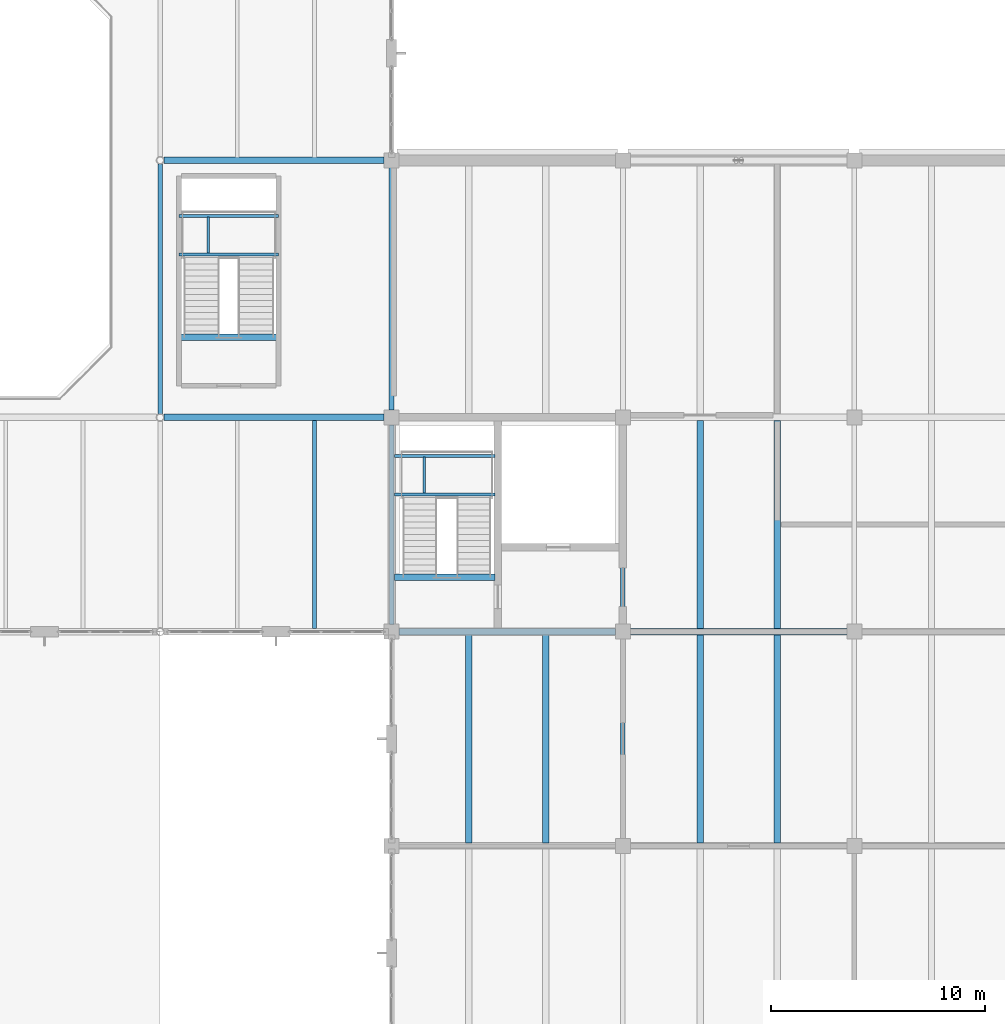
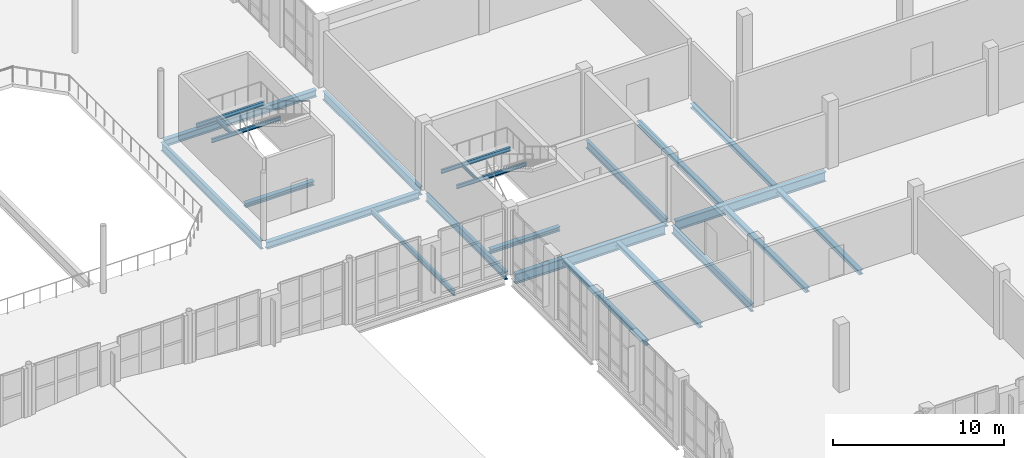
# One storey, part 38 of 92: 24 beams.
"""IFC4 building model written with IfcOpenShell, lengths in metres."""

from ifc_helpers import new_model, si_unit, direction, frame, origin, origin_2d, place, context, subcontext, project, spatial, i_section, extrude, material, material_profile, profile_set, type_object, element, save


model = new_model("IFC4")

# Units and contexts
model_context = context("Model", 3, precision=1e-05, world=origin(), true_north=direction((0.0, 1.0)))
body_context = subcontext(model_context, "Body", "Model", "MODEL_VIEW")
ifc_project = project(units=[si_unit("LENGTHUNIT", "METRE"), si_unit("AREAUNIT", "SQUARE_METRE"), si_unit("VOLUMEUNIT", "CUBIC_METRE"), si_unit("PLANEANGLEUNIT", "RADIAN"), si_unit("MASSUNIT", "GRAM", prefix="KILO")], contexts=[model_context])

# Site, building, storey
site_placement = place(None, origin())
site = spatial("IfcSite", under=ifc_project, at=site_placement, CompositionType="ELEMENT")
building_placement = place(site_placement, origin())
building = spatial("IfcBuilding", under=site, at=building_placement, Name="Tasgan Crest Museum", CompositionType="ELEMENT")
storey_placement = place(building_placement, frame((0.0, 0.0, 4.800048828125)))
storey = spatial("IfcBuildingStorey", under=building, at=storey_placement, Name="L01", CompositionType="ELEMENT", Elevation=4.800048828125)

# Beams
ifc_material_1 = material(Name="Steel S355J2", Category="steel")
ifc_material_profile_1 = material_profile(ifc_material_1, i_section(OverallWidth=0.300048828125, OverallDepth=0.489990234375, WebThickness=0.011962890625, FlangeThickness=0.02294921875, FilletRadius=0.027099609375, at=origin_2d()), Name="HEA 500")
ifc_profile_set_1 = profile_set([ifc_material_profile_1], Name="Steel S355J2")
beam_type_1 = type_object("IfcBeamType", Name="BM-G-HEA500", PredefinedType="BEAM", material=ifc_profile_set_1)
for number, where, z_axis, x_axis, name in (
    (1, (97.373779296875, 50.0, -0.485107421875), (1.0, 0.0, 0.0), (0.0, 1.0, 0.0), "Girder L01 F 97.2-108.0"),
    (2, (97.373779296875, 62.0, -0.485107421875), (1.0, 0.0, 0.0), (0.0, 1.0, 0.0), "Girder L01 G 97.2-108.0"),
):
    element("IfcBeam", number, at=place(storey_placement, frame(where, z_axis=z_axis, x_axis=x_axis)), inside=storey, type_object=beam_type_1, Name=name, PredefinedType="BEAM", context=body_context, shape_type="SweptSolid", body=[
        extrude(i_section(OverallWidth=0.300048828125, OverallDepth=0.489990234375, WebThickness=0.011962890625, FlangeThickness=0.02294921875, FilletRadius=0.027099609375, at=origin_2d()), origin(), (0.0, 0.0, 1.0), 10.2802734375),
    ])
ifc_material_2 = material(Name="Steel S355J2", Category="steel")
ifc_material_profile_2 = material_profile(ifc_material_2, i_section(OverallWidth=0.300048828125, OverallDepth=0.300048828125, WebThickness=0.010986328125, FlangeThickness=0.01904296875, FilletRadius=0.027099609375, at=origin_2d()), Name="HEB 300")
ifc_profile_set_2 = profile_set([ifc_material_profile_2], Name="Steel S355J2")
beam_type_2 = type_object("IfcBeamType", Name="BM-G-HEB300", PredefinedType="BEAM", material=ifc_profile_set_2)
beam_1_placement = place(storey_placement, frame((108.1298828125, 42.550048828125, -0.150146484375), z_axis=(1.0, 0.0, 0.0), x_axis=(0.0, 1.0, 0.0)))
element("IfcBeam", 3, at=beam_1_placement, inside=storey, type_object=beam_type_2, Name="Stair threshold trimmer beam ST-SE-L01", PredefinedType="BEAM", context=body_context, shape_type="SweptSolid", body=[
    extrude(i_section(OverallWidth=0.300048828125, OverallDepth=0.300048828125, WebThickness=0.010986328125, FlangeThickness=0.01904296875, FilletRadius=0.027099609375, at=origin_2d()), origin(), (0.0, 0.0, 1.0), 4.690185546875),
])
beam_2_placement = place(storey_placement, frame((98.080078125, 53.75, -0.150146484375), z_axis=(1.0, 0.0, 0.0), x_axis=(0.0, 1.0, 0.0)))
element("IfcBeam", 4, at=beam_2_placement, inside=storey, type_object=beam_type_2, Name="Stair threshold trimmer beam ST-AT-L01", PredefinedType="BEAM", context=body_context, shape_type="SweptSolid", body=[
    extrude(i_section(OverallWidth=0.300048828125, OverallDepth=0.300048828125, WebThickness=0.010986328125, FlangeThickness=0.01904296875, FilletRadius=0.027099609375, at=origin_2d()), origin(), (0.0, 0.0, 1.0), 4.639892578125),
])
ifc_material_3 = material(Name="Steel S355K2", Category="steel")
ifc_material_profile_3 = material_profile(ifc_material_3, i_section(OverallWidth=0.300048828125, OverallDepth=0.699951171875, WebThickness=0.01708984375, FlangeThickness=0.031982421875, FilletRadius=0.027099609375, at=origin_2d()), Name="HEB 700")
ifc_profile_set_3 = profile_set([ifc_material_profile_3], Name="Steel S355K2")
beam_type_3 = type_object("IfcBeamType", Name="BM-G-HEB700", PredefinedType="BEAM", material=ifc_profile_set_3)
beam_3_placement = place(storey_placement, frame((108.345947265625, 40.0, -0.630126953125), z_axis=(1.0, 0.0, 0.0), x_axis=(0.0, 1.0, 0.0)))
element("IfcBeam", 5, at=beam_3_placement, inside=storey, type_object=beam_type_3, Name="Girder L01 E 108.0-118.8", PredefinedType="BEAM", context=body_context, shape_type="SweptSolid", body=[
    extrude(i_section(OverallWidth=0.300048828125, OverallDepth=0.699951171875, WebThickness=0.01708984375, FlangeThickness=0.031982421875, FilletRadius=0.027099609375, at=origin_2d()), origin(), (0.0, 0.0, 1.0), 10.108154296875),
])
beam_4_placement = place(storey_placement, frame((119.14599609375, 40.0, -0.630126953125), z_axis=(1.0, 0.0, 0.0), x_axis=(0.0, 1.0, 0.0)))
element("IfcBeam", 6, at=beam_4_placement, inside=storey, type_object=beam_type_3, Name="Girder L01 E 118.8-129.6", PredefinedType="BEAM", context=body_context, shape_type="SweptSolid", body=[
    extrude(i_section(OverallWidth=0.300048828125, OverallDepth=0.699951171875, WebThickness=0.01708984375, FlangeThickness=0.031982421875, FilletRadius=0.027099609375, at=origin_2d()), origin(), (0.0, 0.0, 1.0), 10.10791015625),
])
ifc_material_4 = material(Name="Steel S355J2", Category="steel")
ifc_material_profile_4 = material_profile(ifc_material_4, i_section(OverallWidth=0.2099609375, OverallDepth=0.550048828125, WebThickness=0.010986328125, FlangeThickness=0.01708984375, FilletRadius=0.02392578125, at=origin_2d()), Name="IPE 550")
ifc_profile_set_4 = profile_set([ifc_material_profile_4], Name="Steel S355J2")
beam_type_4 = type_object("IfcBeamType", Name="BM-G-IPE550", PredefinedType="BEAM", material=ifc_profile_set_4)
for number, where, z_axis, x_axis, name in (
    (7, (108.0, 40.344970703125, -0.554931640625), (0.0, 1.0, 0.0), (-1.0, 0.0, 0.0), "Beam L01 11 40.0-50.0"),
    (8, (118.800048828125, 30.344970703125, -0.554931640625), (0.0, 1.0, 0.0), (-1.0, 0.0, 0.0), "Beam L01 12 30.0-40.0"),
    (9, (118.800048828125, 40.344970703125, -0.554931640625), (0.0, 1.0, 0.0), (-1.0, 0.0, 0.0), "Beam L01 12 40.0-50.0"),
):
    element("IfcBeam", number, at=place(storey_placement, frame(where, z_axis=z_axis, x_axis=x_axis)), inside=storey, type_object=beam_type_4, Name=name, PredefinedType="BEAM", context=body_context, shape_type="SweptSolid", body=[
        extrude(i_section(OverallWidth=0.2099609375, OverallDepth=0.550048828125, WebThickness=0.010986328125, FlangeThickness=0.01708984375, FilletRadius=0.02392578125, at=origin_2d()), origin(), (0.0, 0.0, 1.0), 9.31005859375),
    ])
ifc_material_5 = material(Name="Steel S355J2", Category="steel")
ifc_material_profile_5 = material_profile(ifc_material_5, i_section(OverallWidth=0.219970703125, OverallDepth=0.60009765625, WebThickness=0.011962890625, FlangeThickness=0.01904296875, FilletRadius=0.02392578125, at=origin_2d()), Name="IPE 600")
ifc_profile_set_5 = profile_set([ifc_material_profile_5], Name="Steel S355J2")
beam_type_5 = type_object("IfcBeamType", Name="BM-G-IPE600", PredefinedType="BEAM", material=ifc_profile_set_5)
beam_5_placement = place(storey_placement, frame((97.199951171875, 50.1728515625, -0.5400390625), z_axis=(0.0, 1.0, 0.0), x_axis=(-1.0, 0.0, 0.0)))
element("IfcBeam", 10, at=beam_5_placement, inside=storey, type_object=beam_type_5, Name="Beam L01 10 50.0-62.0", PredefinedType="BEAM", context=body_context, shape_type="SweptSolid", body=[
    extrude(i_section(OverallWidth=0.219970703125, OverallDepth=0.60009765625, WebThickness=0.011962890625, FlangeThickness=0.01904296875, FilletRadius=0.02392578125, at=origin_2d()), origin(), (0.0, 0.0, 1.0), 11.654296875),
])
beam_6_placement = place(storey_placement, frame((108.0, 50.344970703125, -0.580078125), z_axis=(0.0, 1.0, 0.0), x_axis=(-1.0, 0.0, 0.0)))
element("IfcBeam", 11, at=beam_6_placement, inside=storey, type_object=beam_type_5, Name="Beam L01 11 50.0-62.0", PredefinedType="BEAM", context=body_context, shape_type="SweptSolid", body=[
    extrude(i_section(OverallWidth=0.219970703125, OverallDepth=0.60009765625, WebThickness=0.011962890625, FlangeThickness=0.01904296875, FilletRadius=0.02392578125, at=origin_2d()), origin(), (0.0, 0.0, 1.0), 11.31005859375),
])
ifc_material_6 = material(Name="Steel S355J2", Category="steel")
ifc_material_profile_6 = material_profile(ifc_material_6, i_section(OverallWidth=0.300048828125, OverallDepth=0.31005859375, WebThickness=0.009033203125, FlangeThickness=0.015380859375, FilletRadius=0.027099609375, at=origin_2d()), Name="HEA 320")
ifc_profile_set_6 = profile_set([ifc_material_profile_6], Name="Steel S355J2")
beam_type_6 = type_object("IfcBeamType", Name="BM-J-HEA320", PredefinedType="JOIST", material=ifc_profile_set_6)
for number, where, z_axis, x_axis, name in (
    (12, (111.60009765625, 30.14501953125, -0.43505859375), (0.0, 1.0, 0.0), (-1.0, 0.0, 0.0), "Secondary joist L01 X=111.6 Y=30.0-40.0"),
    (13, (115.199951171875, 30.14501953125, -0.43505859375), (0.0, 1.0, 0.0), (-1.0, 0.0, 0.0), "Secondary joist L01 X=115.2 Y=30.0-40.0"),
    (14, (122.39990234375, 30.14501953125, -0.43505859375), (0.0, 1.0, 0.0), (-1.0, 0.0, 0.0), "Secondary joist L01 X=122.4 Y=30.0-40.0"),
    (15, (126.0, 30.14501953125, -0.43505859375), (0.0, 1.0, 0.0), (-1.0, 0.0, 0.0), "Secondary joist L01 X=126.0 Y=30.0-40.0"),
    (16, (122.39990234375, 40.14501953125, -0.43505859375), (0.0, 1.0, 0.0), (-1.0, 0.0, 0.0), "Secondary joist L01 X=122.4 Y=40.0-50.0"),
    (17, (126.0, 40.14501953125, -0.43505859375), (0.0, 1.0, 0.0), (-1.0, 0.0, 0.0), "Secondary joist L01 X=126.0 Y=40.0-50.0"),
):
    element("IfcBeam", number, at=place(storey_placement, frame(where, z_axis=z_axis, x_axis=x_axis)), inside=storey, type_object=beam_type_6, Name=name, PredefinedType="JOIST", context=body_context, shape_type="SweptSolid", body=[
        extrude(i_section(OverallWidth=0.300048828125, OverallDepth=0.31005859375, WebThickness=0.009033203125, FlangeThickness=0.015380859375, FilletRadius=0.027099609375, at=origin_2d()), origin(), (0.0, 0.0, 1.0), 9.7099609375),
    ])
ifc_material_7 = material(Name="Steel S355J2", Category="steel")
ifc_material_profile_7 = material_profile(ifc_material_7, i_section(OverallWidth=0.169921875, OverallDepth=0.360107421875, WebThickness=0.008056640625, FlangeThickness=0.0126953125, FilletRadius=0.01806640625, at=origin_2d()), Name="IPE 360")
ifc_profile_set_7 = profile_set([ifc_material_profile_7], Name="Steel S355J2")
beam_type_7 = type_object("IfcBeamType", Name="BM-J-IPE360", PredefinedType="JOIST", material=ifc_profile_set_7)
beam_7_placement = place(storey_placement, frame((104.39990234375, 40.14501953125, -0.420166015625), z_axis=(0.0, 1.0, 0.0), x_axis=(-1.0, 0.0, 0.0)))
element("IfcBeam", 18, at=beam_7_placement, inside=storey, type_object=beam_type_7, Name="Secondary joist L01 X=104.4 Y=40.0-50.0", PredefinedType="JOIST", context=body_context, shape_type="SweptSolid", body=[
    extrude(i_section(OverallWidth=0.169921875, OverallDepth=0.360107421875, WebThickness=0.008056640625, FlangeThickness=0.0126953125, FilletRadius=0.01806640625, at=origin_2d()), origin(), (0.0, 0.0, 1.0), 9.7099609375),
])
ifc_material_8 = material(Name="Steel S355J2", Category="steel")
ifc_material_profile_8 = material_profile(ifc_material_8, i_section(OverallWidth=0.1201171875, OverallDepth=0.239990234375, WebThickness=0.006103515625, FlangeThickness=0.009765625, FilletRadius=0.014892578125, at=origin_2d()), Name="IPE 240")
ifc_profile_set_8 = profile_set([ifc_material_profile_8], Name="Steel S355J2")
beam_type_8 = type_object("IfcBeamType", Name="BM-LAND-IPE240", PredefinedType="BEAM", material=ifc_profile_set_8)
for number, where, z_axis, x_axis, name in (
    (19, (109.52490234375, 46.465087890625, 2.079833984375), (0.0, 1.0, 0.0), (-1.0, 0.0, 0.0), "Stair half-landing crossbeam ST-SE-L01 T1"),
    (20, (99.449951171875, 57.6650390625, 2.079833984375), (0.0, 1.0, 0.0), (-1.0, 0.0, 0.0), "Stair half-landing crossbeam ST-AT-L01 T1"),
):
    element("IfcBeam", number, at=place(storey_placement, frame(where, z_axis=z_axis, x_axis=x_axis)), inside=storey, type_object=beam_type_8, Name=name, PredefinedType="BEAM", context=body_context, shape_type="SweptSolid", body=[
        extrude(i_section(OverallWidth=0.1201171875, OverallDepth=0.239990234375, WebThickness=0.006103515625, FlangeThickness=0.009765625, FilletRadius=0.014892578125, at=origin_2d()), origin(), (0.0, 0.0, 1.0), 1.679931640625),
    ])
ifc_material_9 = material(Name="Steel S355J2", Category="steel")
ifc_material_profile_9 = material_profile(ifc_material_9, i_section(OverallWidth=0.135009765625, OverallDepth=0.27001953125, WebThickness=0.006591796875, FlangeThickness=0.01025390625, FilletRadius=0.014892578125, at=origin_2d()), Name="IPE 270")
ifc_profile_set_9 = profile_set([ifc_material_profile_9], Name="Steel S355J2")
beam_type_9 = type_object("IfcBeamType", Name="BM-LAND-IPE270", PredefinedType="BEAM", material=ifc_profile_set_9)
for number, where, z_axis, x_axis, name in (
    (21, (108.1298828125, 46.405029296875, 2.06494140625), (1.0, 0.0, 0.0), (0.0, 1.0, 0.0), "Stair half-landing beam ST-SE-L01 T1F"),
    (22, (108.1298828125, 48.205078125, 2.06494140625), (1.0, 0.0, 0.0), (0.0, 1.0, 0.0), "Stair half-landing beam ST-SE-L01 T1B"),
):
    element("IfcBeam", number, at=place(storey_placement, frame(where, z_axis=z_axis, x_axis=x_axis)), inside=storey, type_object=beam_type_9, Name=name, PredefinedType="BEAM", context=body_context, shape_type="SweptSolid", body=[
        extrude(i_section(OverallWidth=0.135009765625, OverallDepth=0.27001953125, WebThickness=0.006591796875, FlangeThickness=0.01025390625, FilletRadius=0.014892578125, at=origin_2d()), origin(), (0.0, 0.0, 1.0), 4.690185546875),
    ])
for number, where, z_axis, x_axis, name in (
    (23, (98.080078125, 57.60498046875, 2.06494140625), (1.0, 0.0, 0.0), (0.0, 1.0, 0.0), "Stair half-landing beam ST-AT-L01 T1F"),
    (24, (98.080078125, 59.405029296875, 2.06494140625), (1.0, 0.0, 0.0), (0.0, 1.0, 0.0), "Stair half-landing beam ST-AT-L01 T1B"),
):
    element("IfcBeam", number, at=place(storey_placement, frame(where, z_axis=z_axis, x_axis=x_axis)), inside=storey, type_object=beam_type_9, Name=name, PredefinedType="BEAM", context=body_context, shape_type="SweptSolid", body=[
        extrude(i_section(OverallWidth=0.135009765625, OverallDepth=0.27001953125, WebThickness=0.006591796875, FlangeThickness=0.01025390625, FilletRadius=0.014892578125, at=origin_2d()), origin(), (0.0, 0.0, 1.0), 4.639892578125),
    ])

save(model, "model.ifc")
